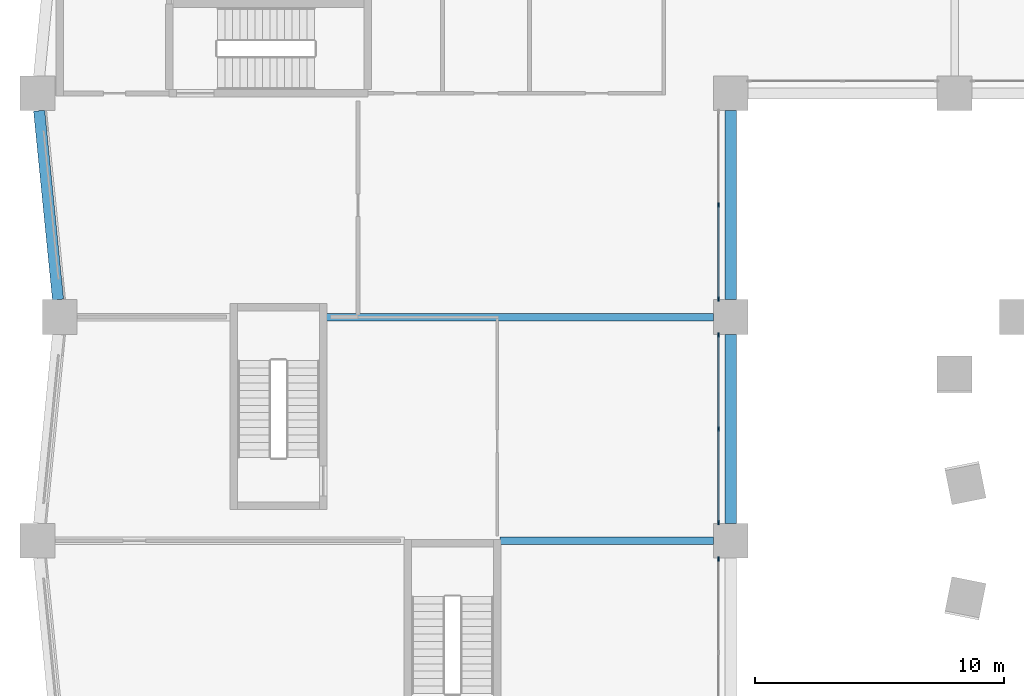
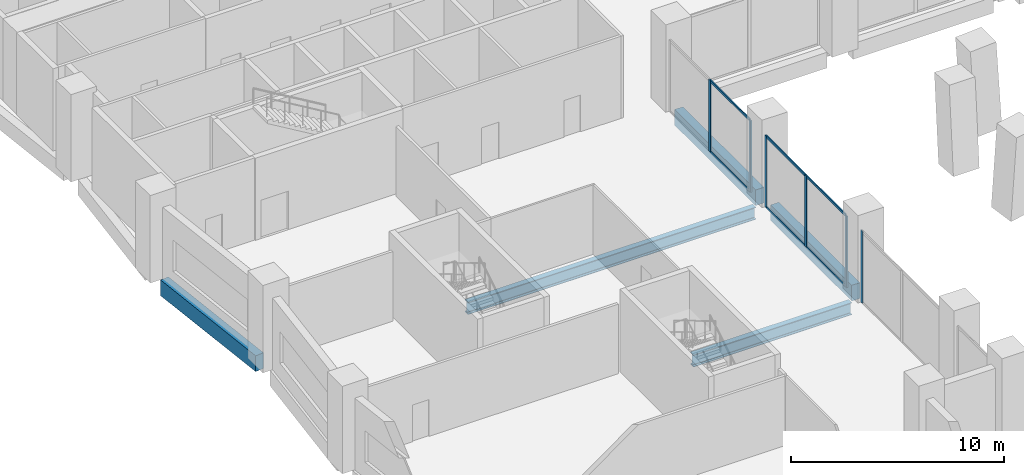
# One storey, part 3 of 17: 12 members, 5 beams, 3 elements without a shape of their own.
"""IFC4 building model written with IfcOpenShell, lengths in metres."""

from ifc_helpers import new_model, si_unit, direction, frame, origin, origin_2d, place, context, subcontext, project, spatial, rectangle, i_section, extrude, material, material_profile, profile_set, type_object, element, aggregate, save


model = new_model("IFC4")

# Units and contexts
model_context = context("Model", 3, precision=1e-05, world=origin(), true_north=direction((0.0, 1.0)))
body_context = subcontext(model_context, "Body", "Model", "MODEL_VIEW")
ifc_project = project(units=[si_unit("LENGTHUNIT", "METRE"), si_unit("AREAUNIT", "SQUARE_METRE"), si_unit("VOLUMEUNIT", "CUBIC_METRE"), si_unit("PLANEANGLEUNIT", "RADIAN"), si_unit("MASSUNIT", "GRAM", prefix="KILO")], contexts=[model_context])

# Site, building, storey
site_placement = place(None, origin())
site = spatial("IfcSite", under=ifc_project, at=site_placement, CompositionType="ELEMENT")
building_placement = place(site_placement, origin())
building = spatial("IfcBuilding", under=site, at=building_placement, Name="Brondeck Convention Tower", CompositionType="ELEMENT")
storey_placement = place(building_placement, frame((0.0, 0.0, 14.5)))
storey = spatial("IfcBuildingStorey", under=building, at=storey_placement, Name="L02", CompositionType="ELEMENT", Elevation=14.5)

# Curtain wall, member
ifc_material_1 = material(Name="Aluminium, bronze anodised", Category="aluminium")
curtain_wall_type = type_object("IfcCurtainWallType", Name="Podium hall curtain wall", PredefinedType="NOTDEFINED", material=ifc_material_1)
curtain_wall_1_placement = place(storey_placement, origin())
curtain_wall_1 = element("IfcCurtainWall", 1, at=curtain_wall_1_placement, inside=storey, type_object=curtain_wall_type, Name="ENV-CW2-L02-B-E-05", PredefinedType="NOTDEFINED")
ifc_material_profile_1 = material_profile(ifc_material_1, rectangle(XDim=0.06005859375, YDim=0.179931640625, at=origin_2d()), Name="CW2 mullion")
ifc_profile_set_1 = profile_set([ifc_material_profile_1], Name="Aluminium, bronze anodised")
member_type_1 = type_object("IfcMemberType", Name="CW2 mullion", PredefinedType="MULLION", material=ifc_profile_set_1)
member_1_placement = place(storey_placement, frame((26.5, 17.27001953125, 0.0), z_axis=(0.0, 0.0, 1.0), x_axis=(1.0, 0.0, 0.0)))
member_1 = element("IfcMember", 2, at=member_1_placement, type_object=member_type_1, Name="CW2 mullion 1", PredefinedType="MULLION", context=body_context, shape_type="SweptSolid", body=[
    extrude(rectangle(XDim=0.06005859375, YDim=0.179931640625, at=origin_2d()), origin(), (0.0, 0.0, 1.0), 4.10009765625),
])
aggregate(curtain_wall_1, [member_1])

# Curtain wall, members
curtain_wall_2_placement = place(storey_placement, origin())
curtain_wall_2 = element("IfcCurtainWall", 3, at=curtain_wall_2_placement, inside=storey, type_object=curtain_wall_type, Name="ENV-CW2-L02-B-E-03", PredefinedType="NOTDEFINED")
member_2_placement = place(storey_placement, frame((26.5, 26.27001953125, 0.0), z_axis=(0.0, 0.0, 1.0), x_axis=(1.0, 0.0, 0.0)))
member_2 = element("IfcMember", 4, at=member_2_placement, type_object=member_type_1, Name="CW2 mullion 1", PredefinedType="MULLION", context=body_context, shape_type="SweptSolid", body=[
    extrude(rectangle(XDim=0.06005859375, YDim=0.179931640625, at=origin_2d()), origin(), (0.0, 0.0, 1.0), 4.10009765625),
])
member_3_placement = place(storey_placement, frame((26.5, 22.5, 0.0), z_axis=(0.0, 0.0, 1.0), x_axis=(1.0, 0.0, 0.0)))
member_3 = element("IfcMember", 5, at=member_3_placement, type_object=member_type_1, Name="CW2 mullion 2", PredefinedType="MULLION", context=body_context, shape_type="SweptSolid", body=[
    extrude(rectangle(XDim=0.06005859375, YDim=0.179931640625, at=origin_2d()), origin(), (0.0, 0.0, 1.0), 4.10009765625),
])
member_4_placement = place(storey_placement, frame((26.5, 18.72998046875, 0.0), z_axis=(0.0, 0.0, 1.0), x_axis=(1.0, 0.0, 0.0)))
member_4 = element("IfcMember", 6, at=member_4_placement, type_object=member_type_1, Name="CW2 mullion 3", PredefinedType="MULLION", context=body_context, shape_type="SweptSolid", body=[
    extrude(rectangle(XDim=0.06005859375, YDim=0.179931640625, at=origin_2d()), origin(), (0.0, 0.0, 1.0), 4.10009765625),
])

curtain_wall_3_placement = place(storey_placement, origin())
curtain_wall_3 = element("IfcCurtainWall", 7, at=curtain_wall_3_placement, inside=storey, type_object=curtain_wall_type, Name="ENV-CW2-L02-B-E-01", PredefinedType="NOTDEFINED")
member_5_placement = place(storey_placement, frame((26.5, 31.5, 0.0), z_axis=(0.0, 0.0, 1.0), x_axis=(1.0, 0.0, 0.0)))
member_5 = element("IfcMember", 8, at=member_5_placement, type_object=member_type_1, Name="CW2 mullion 2", PredefinedType="MULLION", context=body_context, shape_type="SweptSolid", body=[
    extrude(rectangle(XDim=0.06005859375, YDim=0.179931640625, at=origin_2d()), origin(), (0.0, 0.0, 1.0), 4.10009765625),
])
member_6_placement = place(storey_placement, frame((26.5, 27.72998046875, 0.0), z_axis=(0.0, 0.0, 1.0), x_axis=(1.0, 0.0, 0.0)))
member_6 = element("IfcMember", 9, at=member_6_placement, type_object=member_type_1, Name="CW2 mullion 3", PredefinedType="MULLION", context=body_context, shape_type="SweptSolid", body=[
    extrude(rectangle(XDim=0.06005859375, YDim=0.179931640625, at=origin_2d()), origin(), (0.0, 0.0, 1.0), 4.10009765625),
])

# Member
ifc_material_profile_2 = material_profile(ifc_material_1, rectangle(XDim=0.06005859375, YDim=0.139892578125, at=origin_2d()), Name="CW2 transom")
ifc_profile_set_2 = profile_set([ifc_material_profile_2], Name="Aluminium, bronze anodised")
member_type_2 = type_object("IfcMemberType", Name="CW2 transom", PredefinedType="USERDEFINED", material=ifc_profile_set_2)
member_7_placement = place(storey_placement, frame((26.5, 26.239990234375, 0.030029296875), z_axis=(0.0, -1.0, 0.0), x_axis=(1.0, 0.0, 0.0)))
member_7 = element("IfcMember", 10, at=member_7_placement, type_object=member_type_2, Name="CW2 transom 1.1", ObjectType="TRANSOM", PredefinedType="USERDEFINED", context=body_context, shape_type="SweptSolid", body=[
    extrude(rectangle(XDim=0.06005859375, YDim=0.139892578125, at=origin_2d()), origin(), (0.0, 0.0, 1.0), 3.7099609375),
])

member_8_placement = place(storey_placement, frame((26.5, 26.239990234375, 4.070068359375), z_axis=(0.0, -1.0, 0.0), x_axis=(1.0, 0.0, 0.0)))
member_8 = element("IfcMember", 11, at=member_8_placement, type_object=member_type_2, Name="CW2 transom 1.2", ObjectType="TRANSOM", PredefinedType="USERDEFINED", context=body_context, shape_type="SweptSolid", body=[
    extrude(rectangle(XDim=0.06005859375, YDim=0.139892578125, at=origin_2d()), origin(), (0.0, 0.0, 1.0), 3.7099609375),
])

member_9_placement = place(storey_placement, frame((26.5, 22.469970703125, 0.030029296875), z_axis=(0.0, -1.0, 0.0), x_axis=(1.0, 0.0, 0.0)))
member_9 = element("IfcMember", 12, at=member_9_placement, type_object=member_type_2, Name="CW2 transom 2.1", ObjectType="TRANSOM", PredefinedType="USERDEFINED", context=body_context, shape_type="SweptSolid", body=[
    extrude(rectangle(XDim=0.06005859375, YDim=0.139892578125, at=origin_2d()), origin(), (0.0, 0.0, 1.0), 3.7099609375),
])

member_10_placement = place(storey_placement, frame((26.5, 22.469970703125, 4.070068359375), z_axis=(0.0, -1.0, 0.0), x_axis=(1.0, 0.0, 0.0)))
member_10 = element("IfcMember", 13, at=member_10_placement, type_object=member_type_2, Name="CW2 transom 2.2", ObjectType="TRANSOM", PredefinedType="USERDEFINED", context=body_context, shape_type="SweptSolid", body=[
    extrude(rectangle(XDim=0.06005859375, YDim=0.139892578125, at=origin_2d()), origin(), (0.0, 0.0, 1.0), 3.7099609375),
])

aggregate(curtain_wall_2, [member_2, member_3, member_4, member_7, member_8, member_9, member_10])

member_11_placement = place(storey_placement, frame((26.5, 31.469970703125, 0.030029296875), z_axis=(0.0, -1.0, 0.0), x_axis=(1.0, 0.0, 0.0)))
member_11 = element("IfcMember", 14, at=member_11_placement, type_object=member_type_2, Name="CW2 transom 2.1", ObjectType="TRANSOM", PredefinedType="USERDEFINED", context=body_context, shape_type="SweptSolid", body=[
    extrude(rectangle(XDim=0.06005859375, YDim=0.139892578125, at=origin_2d()), origin(), (0.0, 0.0, 1.0), 3.7099609375),
])

member_12_placement = place(storey_placement, frame((26.5, 31.469970703125, 4.070068359375), z_axis=(0.0, -1.0, 0.0), x_axis=(1.0, 0.0, 0.0)))
member_12 = element("IfcMember", 15, at=member_12_placement, type_object=member_type_2, Name="CW2 transom 2.2", ObjectType="TRANSOM", PredefinedType="USERDEFINED", context=body_context, shape_type="SweptSolid", body=[
    extrude(rectangle(XDim=0.06005859375, YDim=0.139892578125, at=origin_2d()), origin(), (0.0, 0.0, 1.0), 3.7099609375),
])

aggregate(curtain_wall_3, [member_5, member_6, member_11, member_12])

# Beams
ifc_material_2 = material(Name="Concrete C80/95", Category="concrete")
ifc_material_profile_3 = material_profile(ifc_material_2, rectangle(XDim=0.449951171875, YDim=0.89990234375, at=origin_2d()), Name="Edge beam 450x900 Concrete C80/95")
ifc_profile_set_3 = profile_set([ifc_material_profile_3], Name="Concrete C80/95")
beam_type_1 = type_object("IfcBeamType", Name="Edge beam 450x900 Concrete C80/95", PredefinedType="BEAM", material=ifc_profile_set_3)
for number, where, z_axis, x_axis, name in (
    (16, (27.0, 18.699951171875, -0.449951171875), (0.0, 1.0, 0.0), (-1.0, 0.0, 0.0), "STR-SP-L02-007"),
    (17, (27.0, 27.699951171875, -0.449951171875), (0.0, 1.0, 0.0), (-1.0, 0.0, 0.0), "STR-SP-L02-008"),
):
    element("IfcBeam", number, at=place(storey_placement, frame(where, z_axis=z_axis, x_axis=x_axis)), inside=storey, type_object=beam_type_1, Name=name, PredefinedType="BEAM", context=body_context, shape_type="SweptSolid", body=[
        extrude(rectangle(XDim=0.449951171875, YDim=0.89990234375, at=origin_2d()), origin(), (0.0, 0.0, 1.0), 7.60009765625),
    ])
beam_1_placement = place(storey_placement, frame((-0.830078125, 35.300048828125, -0.449951171875), z_axis=(0.099503719021, -0.99503719021, 0.0), x_axis=(0.99503719021, 0.099503719021, 0.0)))
element("IfcBeam", 18, at=beam_1_placement, inside=storey, type_object=beam_type_1, Name="STR-SP-L02-033", PredefinedType="BEAM", context=body_context, shape_type="SweptSolid", body=[
    extrude(rectangle(XDim=0.449951171875, YDim=0.89990234375, at=origin_2d()), origin(), (0.0, 0.0, 1.0), 7.637939453125),
])
ifc_material_3 = material(Name="Steel S355", Category="steel")
ifc_material_profile_4 = material_profile(ifc_material_3, i_section(OverallWidth=0.300048828125, OverallDepth=0.699951171875, WebThickness=0.01708984375, FlangeThickness=0.031982421875, FilletRadius=0.027099609375, at=origin_2d()), Name="HEB 700")
ifc_profile_set_4 = profile_set([ifc_material_profile_4], Name="Steel S355")
beam_type_2 = type_object("IfcBeamType", Name="Girder HEB 700", PredefinedType="BEAM", material=ifc_profile_set_4)
beam_2_placement = place(storey_placement, frame((17.719970703125, 18.0, -0.64990234375), z_axis=(1.0, 0.0, 0.0), x_axis=(0.0, 1.0, 0.0)))
element("IfcBeam", 19, at=beam_2_placement, inside=storey, type_object=beam_type_2, Name="STR-GR-L02-009", PredefinedType="BEAM", context=body_context, shape_type="SweptSolid", body=[
    extrude(i_section(OverallWidth=0.300048828125, OverallDepth=0.699951171875, WebThickness=0.01708984375, FlangeThickness=0.031982421875, FilletRadius=0.027099609375, at=origin_2d()), origin(), (0.0, 0.0, 1.0), 8.580078125),
])
beam_3_placement = place(storey_placement, frame((10.719970703125, 27.0, -0.64990234375), z_axis=(1.0, 0.0, 0.0), x_axis=(0.0, 1.0, 0.0)))
element("IfcBeam", 20, at=beam_3_placement, inside=storey, type_object=beam_type_2, Name="STR-GR-L02-011", PredefinedType="BEAM", context=body_context, shape_type="SweptSolid", body=[
    extrude(i_section(OverallWidth=0.300048828125, OverallDepth=0.699951171875, WebThickness=0.01708984375, FlangeThickness=0.031982421875, FilletRadius=0.027099609375, at=origin_2d()), origin(), (0.0, 0.0, 1.0), 15.580078125),
])

save(model, "model.ifc")
